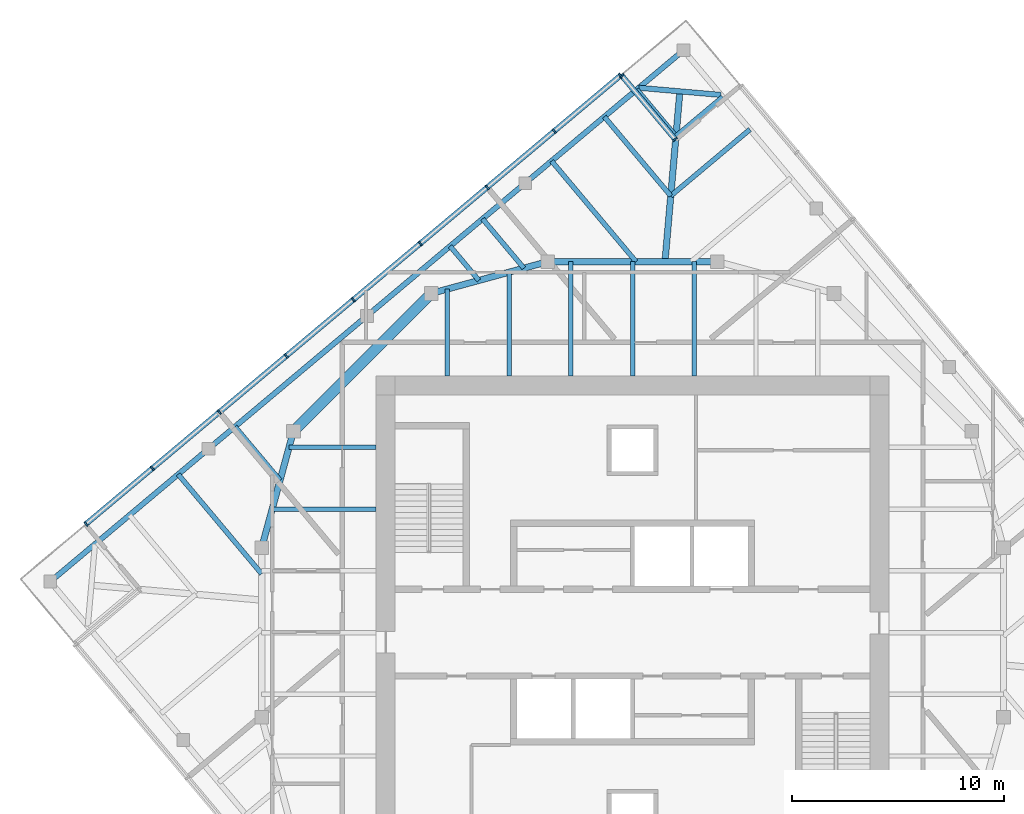
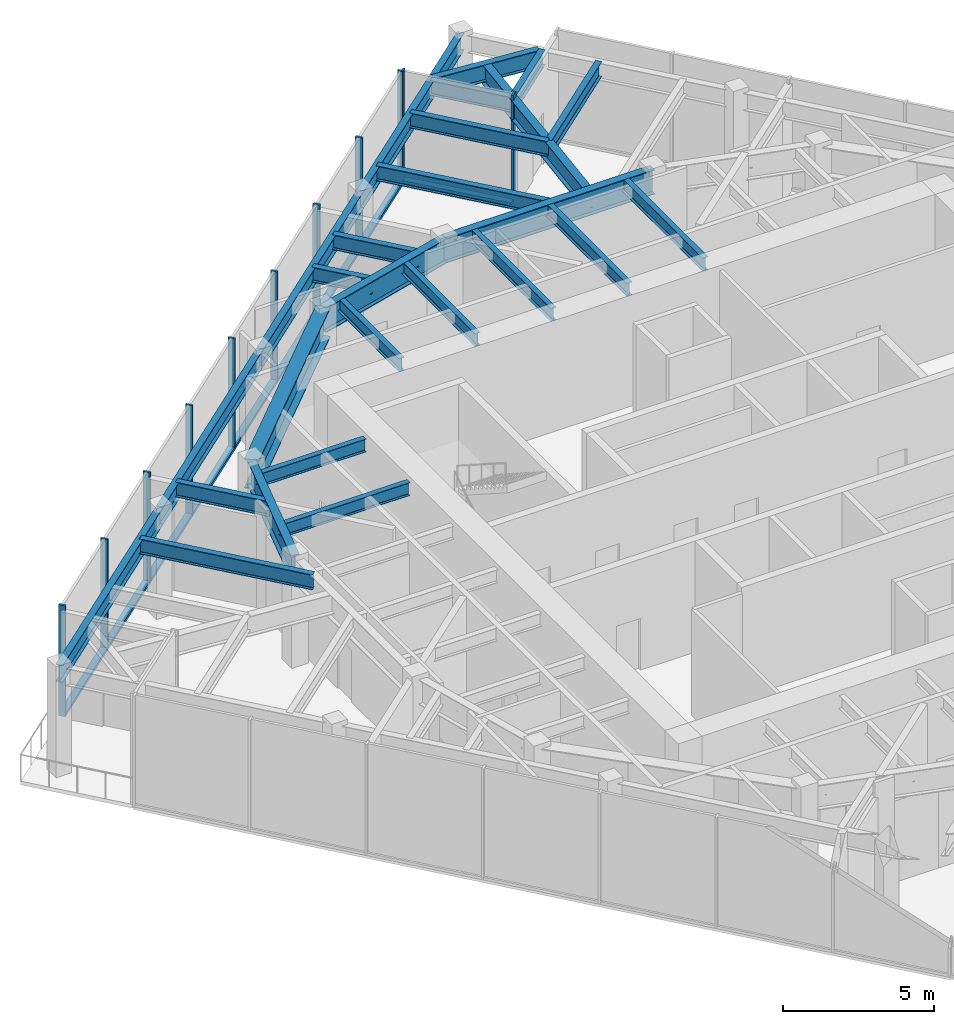
# One storey, part 5 of 11: 26 beams, 20 members, 2 elements without a shape of their own.
"""IFC4 building model written with IfcOpenShell, lengths in metres."""

from ifc_helpers import new_model, si_unit, direction, frame, origin, origin_2d, place, context, subcontext, project, spatial, rectangle, i_section, extrude, material, material_profile, profile_set, type_object, element, aggregate, save


model = new_model("IFC4")

# Units and contexts
model_context = context("Model", 3, precision=1e-05, world=origin(), true_north=direction((0.0, 1.0)))
body_context = subcontext(model_context, "Body", "Model", "MODEL_VIEW")
ifc_project = project(units=[si_unit("LENGTHUNIT", "METRE"), si_unit("AREAUNIT", "SQUARE_METRE"), si_unit("VOLUMEUNIT", "CUBIC_METRE"), si_unit("PLANEANGLEUNIT", "RADIAN"), si_unit("MASSUNIT", "GRAM", prefix="KILO")], contexts=[model_context])

# Site, building, storey
site_placement = place(None, origin())
site = spatial("IfcSite", under=ifc_project, at=site_placement, CompositionType="ELEMENT")
building_placement = place(site_placement, origin())
building = spatial("IfcBuilding", under=site, at=building_placement, Name="Torsade Residences", CompositionType="ELEMENT")
storey_placement = place(building_placement, frame((0.0, 0.0, 299.800048828125)))
storey = spatial("IfcBuildingStorey", under=building, at=storey_placement, Name="L83", CompositionType="ELEMENT", Elevation=299.800048828125)

# Beams
ifc_material_1 = material(Name="Steel grade 300", Category="steel")
ifc_material_profile_1 = material_profile(ifc_material_1, i_section(OverallWidth=0.300048828125, OverallDepth=0.800048828125, WebThickness=0.010009765625, FlangeThickness=0.02001953125, at=origin_2d()), Name="800WB146")
ifc_profile_set_1 = profile_set([ifc_material_profile_1], Name="Steel grade 300")
beam_type_1 = type_object("IfcBeamType", Name="CORNER GIRDER 800WB146", PredefinedType="BEAM", material=ifc_profile_set_1)
beam_1_placement = place(storey_placement, frame((42.234130859375, 55.53515625, 3.89990234375), z_axis=(-0.087172957961, -0.996193191806, 0.0), x_axis=(0.996193191806, -0.087172957961, 0.0)))
element("IfcBeam", 1, at=beam_1_placement, inside=storey, type_object=beam_type_1, Name="Corner girder 09 L84", PredefinedType="BEAM", context=body_context, shape_type="SweptSolid", body=[
    extrude(i_section(OverallWidth=0.300048828125, OverallDepth=0.800048828125, WebThickness=0.010009765625, FlangeThickness=0.02001953125, at=origin_2d()), origin(), (0.0, 0.0, 1.0), 8.06591796875),
])
ifc_material_2 = material(Name="Steel grade 300", Category="steel")
ifc_material_profile_2 = material_profile(ifc_material_2, i_section(OverallWidth=0.25, OverallDepth=0.699951171875, WebThickness=0.010009765625, FlangeThickness=0.02001953125, at=origin_2d()), Name="700WB130")
ifc_profile_set_2 = profile_set([ifc_material_profile_2], Name="Steel grade 300")
beam_type_2 = type_object("IfcBeamType", Name="CORNER TRIMMER 700WB130", PredefinedType="BEAM", material=ifc_profile_set_2)
beam_2_placement = place(storey_placement, frame((40.296875, 55.70458984375, 3.949951171875), z_axis=(0.996196646947, -0.087133464362, 0.0), x_axis=(0.087133464362, 0.996196646947, 0.0)))
element("IfcBeam", 2, at=beam_2_placement, inside=storey, type_object=beam_type_2, Name="Corner trimmer 09 L84", PredefinedType="BEAM", context=body_context, shape_type="SweptSolid", body=[
    extrude(i_section(OverallWidth=0.25, OverallDepth=0.699951171875, WebThickness=0.010009765625, FlangeThickness=0.02001953125, at=origin_2d()), origin(), (0.0, 0.0, 1.0), 3.88916015625),
])
ifc_material_3 = material(Name="Steel grade 300", Category="steel")
ifc_material_profile_3 = material_profile(ifc_material_3, i_section(OverallWidth=0.25, OverallDepth=0.699951171875, WebThickness=0.010009765625, FlangeThickness=0.02001953125, at=origin_2d()), Name="700WB130")
ifc_profile_set_3 = profile_set([ifc_material_profile_3], Name="Steel grade 300")
beam_type_3 = type_object("IfcBeamType", Name="EDGE BEAM 700WB130", PredefinedType="SPANDREL", material=ifc_profile_set_3)
for number, where, z_axis, x_axis, name in (
    (3, (42.403564453125, 57.47216796875, 3.949951171875), (-0.766051532934, -0.642779160279, 0.0), (0.642779160279, -0.766051532934, 0.0), "Edge beam 09 L84"),
    (4, (34.9345703125, 51.205078125, 3.949951171875), (-0.766051532934, -0.642779160279, 0.0), (0.642779160279, -0.766051532934, 0.0), "Edge beam 10 L84"),
    (5, (27.465576171875, 44.93798828125, 3.949951171875), (-0.766028856906, -0.642806184154, 0.0), (0.642806184154, -0.766028856906, 0.0), "Edge beam 11 L84"),
    (6, (19.996826171875, 38.670654296875, 3.949951171875), (-0.766051532934, -0.642779160279, 0.0), (0.642779160279, -0.766051532934, 0.0), "Edge beam 12 L84"),
):
    element("IfcBeam", number, at=place(storey_placement, frame(where, z_axis=z_axis, x_axis=x_axis)), inside=storey, type_object=beam_type_3, Name=name, PredefinedType="SPANDREL", context=body_context, shape_type="SweptSolid", body=[
        extrude(i_section(OverallWidth=0.25, OverallDepth=0.699951171875, WebThickness=0.010009765625, FlangeThickness=0.02001953125, at=origin_2d()), origin(), (0.0, 0.0, 1.0), 9.75),
    ])
ifc_material_4 = material(Name="Steel grade 300", Category="steel")
ifc_material_profile_4 = material_profile(ifc_material_4, i_section(OverallWidth=0.208984375, OverallDepth=0.528076171875, WebThickness=0.009521484375, FlangeThickness=0.01318359375, FilletRadius=0.013916015625, at=origin_2d()), Name="530UB82.0")
ifc_profile_set_4 = profile_set([ifc_material_profile_4], Name="Steel grade 300")
beam_type_4 = type_object("IfcBeamType", Name="INNER FLOOR BEAM 530UB82.0", PredefinedType="JOIST", material=ifc_profile_set_4)
beam_3_placement = place(storey_placement, frame((31.262451171875, 42.10009765625, 4.035888671875), z_axis=(0.0, 1.0, 0.0), x_axis=(-1.0, 0.0, 0.0)))
element("IfcBeam", 7, at=beam_3_placement, inside=storey, type_object=beam_type_4, Name="Inner floor beam IN01 L84", PredefinedType="JOIST", context=body_context, shape_type="SweptSolid", body=[
    extrude(i_section(OverallWidth=0.208984375, OverallDepth=0.528076171875, WebThickness=0.009521484375, FlangeThickness=0.01318359375, FilletRadius=0.013916015625, at=origin_2d()), origin(), (0.0, 0.0, 1.0), 4.10791015625),
])
beam_4_placement = place(storey_placement, frame((34.175048828125, 42.10009765625, 4.035888671875), z_axis=(0.0, 1.0, 0.0), x_axis=(-1.0, 0.0, 0.0)))
element("IfcBeam", 8, at=beam_4_placement, inside=storey, type_object=beam_type_4, Name="Inner floor beam IN02 L84", PredefinedType="JOIST", context=body_context, shape_type="SweptSolid", body=[
    extrude(i_section(OverallWidth=0.208984375, OverallDepth=0.528076171875, WebThickness=0.009521484375, FlangeThickness=0.01318359375, FilletRadius=0.013916015625, at=origin_2d()), origin(), (0.0, 0.0, 1.0), 4.902099609375),
])
for number, where, z_axis, x_axis, name in (
    (9, (37.08740234375, 42.10009765625, 4.035888671875), (0.0, 1.0, 0.0), (-1.0, 0.0, 0.0), "Inner floor beam IN03 L84"),
    (10, (40.0, 42.10009765625, 4.035888671875), (0.0, 1.0, 0.0), (-1.0, 0.0, 0.0), "Inner floor beam IN04 L84"),
    (11, (42.91259765625, 42.10009765625, 4.035888671875), (0.0, 1.0, 0.0), (-1.0, 0.0, 0.0), "Inner floor beam IN05 L84"),
):
    element("IfcBeam", number, at=place(storey_placement, frame(where, z_axis=z_axis, x_axis=x_axis)), inside=storey, type_object=beam_type_4, Name=name, PredefinedType="JOIST", context=body_context, shape_type="SweptSolid", body=[
        extrude(i_section(OverallWidth=0.208984375, OverallDepth=0.528076171875, WebThickness=0.009521484375, FlangeThickness=0.01318359375, FilletRadius=0.013916015625, at=origin_2d()), origin(), (0.0, 0.0, 1.0), 5.39990234375),
    ])
beam_5_placement = place(storey_placement, frame((27.89990234375, 38.737548828125, 4.035888671875), z_axis=(-1.0, 0.0, 0.0), x_axis=(0.0, -1.0, 0.0)))
element("IfcBeam", 12, at=beam_5_placement, inside=storey, type_object=beam_type_4, Name="Inner floor beam IW01 L84", PredefinedType="JOIST", context=body_context, shape_type="SweptSolid", body=[
    extrude(i_section(OverallWidth=0.208984375, OverallDepth=0.528076171875, WebThickness=0.009521484375, FlangeThickness=0.01318359375, FilletRadius=0.013916015625, at=origin_2d()), origin(), (0.0, 0.0, 1.0), 4.10791015625),
])
beam_6_placement = place(storey_placement, frame((27.89990234375, 35.824951171875, 4.035888671875), z_axis=(-1.0, 0.0, 0.0), x_axis=(0.0, -1.0, 0.0)))
element("IfcBeam", 13, at=beam_6_placement, inside=storey, type_object=beam_type_4, Name="Inner floor beam IW02 L84", PredefinedType="JOIST", context=body_context, shape_type="SweptSolid", body=[
    extrude(i_section(OverallWidth=0.208984375, OverallDepth=0.528076171875, WebThickness=0.009521484375, FlangeThickness=0.01318359375, FilletRadius=0.013916015625, at=origin_2d()), origin(), (0.0, 0.0, 1.0), 4.902099609375),
])

# Curtain wall, members
ifc_material_5 = material(Name="Aluminium and glass", Category="aluminium")
curtain_wall_type = type_object("IfcCurtainWallType", Name="PLANT LEVEL LOUVRED CURTAIN WALL", PredefinedType="NOTDEFINED", material=ifc_material_5)
curtain_wall_1_placement = place(storey_placement, origin())
curtain_wall_1 = element("IfcCurtainWall", 14, at=curtain_wall_1_placement, inside=storey, type_object=curtain_wall_type, Name="Curtain wall L83 face 6", PredefinedType="NOTDEFINED")
ifc_material_6 = material(Name="Aluminium mullion", Category="aluminium")
ifc_material_profile_5 = material_profile(ifc_material_6, rectangle(XDim=0.25, YDim=0.080078125, at=origin_2d()), Name="LOUVRE WALL MULLION 250x80")
ifc_profile_set_5 = profile_set([ifc_material_profile_5], Name="Aluminium mullion")
member_type_1 = type_object("IfcMemberType", Name="LOUVRE WALL MULLION 250x80", PredefinedType="MULLION", material=ifc_profile_set_5)
member_1_placement = place(storey_placement, frame((42.008056640625, 53.2763671875, 0.0), z_axis=(0.0, 0.0, 1.0), x_axis=(-0.766044397526, -0.642787664022, 0.0)))
member_1 = element("IfcMember", 15, at=member_1_placement, type_object=member_type_1, Name="Mullion 1", PredefinedType="MULLION", context=body_context, shape_type="SweptSolid", body=[
    extrude(rectangle(XDim=0.25, YDim=0.080078125, at=origin_2d()), origin(), (0.0, 0.0, 1.0), 4.5),
])
member_2_placement = place(storey_placement, frame((39.48828125, 56.279296875, 0.0), z_axis=(0.0, 0.0, 1.0), x_axis=(-0.766044397526, -0.642787664022, 0.0)))
member_2 = element("IfcMember", 16, at=member_2_placement, type_object=member_type_1, Name="Mullion 2", PredefinedType="MULLION", context=body_context, shape_type="SweptSolid", body=[
    extrude(rectangle(XDim=0.25, YDim=0.080078125, at=origin_2d()), origin(), (0.0, 0.0, 1.0), 4.5),
])

curtain_wall_2_placement = place(storey_placement, origin())
curtain_wall_2 = element("IfcCurtainWall", 17, at=curtain_wall_2_placement, inside=storey, type_object=curtain_wall_type, Name="Curtain wall L83 face 7", PredefinedType="NOTDEFINED")
member_3_placement = place(storey_placement, frame((39.431884765625, 56.2841796875, 0.0), z_axis=(0.0, 0.0, 1.0), x_axis=(0.642787616853, -0.766044437106, 0.0)))
member_3 = element("IfcMember", 18, at=member_3_placement, type_object=member_type_1, Name="Mullion 1", PredefinedType="MULLION", context=body_context, shape_type="SweptSolid", body=[
    extrude(rectangle(XDim=0.25, YDim=0.080078125, at=origin_2d()), origin(), (0.0, 0.0, 1.0), 4.5),
])
member_4_placement = place(storey_placement, frame((36.302734375, 53.658447265625, 0.0), z_axis=(0.0, 0.0, 1.0), x_axis=(0.642787616853, -0.766044437106, 0.0)))
member_4 = element("IfcMember", 19, at=member_4_placement, type_object=member_type_1, Name="Mullion 2", PredefinedType="MULLION", context=body_context, shape_type="SweptSolid", body=[
    extrude(rectangle(XDim=0.25, YDim=0.080078125, at=origin_2d()), origin(), (0.0, 0.0, 1.0), 4.5),
])
member_5_placement = place(storey_placement, frame((33.142822265625, 51.0068359375, 0.0), z_axis=(0.0, 0.0, 1.0), x_axis=(0.642787616853, -0.766044437106, 0.0)))
member_5 = element("IfcMember", 20, at=member_5_placement, type_object=member_type_1, Name="Mullion 3", PredefinedType="MULLION", context=body_context, shape_type="SweptSolid", body=[
    extrude(rectangle(XDim=0.25, YDim=0.080078125, at=origin_2d()), origin(), (0.0, 0.0, 1.0), 4.5),
])
member_6_placement = place(storey_placement, frame((29.982666015625, 48.35546875, 0.0), z_axis=(0.0, 0.0, 1.0), x_axis=(0.642787616853, -0.766044437106, 0.0)))
member_6 = element("IfcMember", 21, at=member_6_placement, type_object=member_type_1, Name="Mullion 4", PredefinedType="MULLION", context=body_context, shape_type="SweptSolid", body=[
    extrude(rectangle(XDim=0.25, YDim=0.080078125, at=origin_2d()), origin(), (0.0, 0.0, 1.0), 4.5),
])
member_7_placement = place(storey_placement, frame((26.82275390625, 45.703857421875, 0.0), z_axis=(0.0, 0.0, 1.0), x_axis=(0.642787616853, -0.766044437106, 0.0)))
member_7 = element("IfcMember", 22, at=member_7_placement, type_object=member_type_1, Name="Mullion 5", PredefinedType="MULLION", context=body_context, shape_type="SweptSolid", body=[
    extrude(rectangle(XDim=0.25, YDim=0.080078125, at=origin_2d()), origin(), (0.0, 0.0, 1.0), 4.5),
])
member_8_placement = place(storey_placement, frame((23.662841796875, 43.052490234375, 0.0), z_axis=(0.0, 0.0, 1.0), x_axis=(0.642787616853, -0.766044437106, 0.0)))
member_8 = element("IfcMember", 23, at=member_8_placement, type_object=member_type_1, Name="Mullion 6", PredefinedType="MULLION", context=body_context, shape_type="SweptSolid", body=[
    extrude(rectangle(XDim=0.25, YDim=0.080078125, at=origin_2d()), origin(), (0.0, 0.0, 1.0), 4.5),
])
member_9_placement = place(storey_placement, frame((20.5029296875, 40.40087890625, 0.0), z_axis=(0.0, 0.0, 1.0), x_axis=(0.642787616853, -0.766044437106, 0.0)))
member_9 = element("IfcMember", 24, at=member_9_placement, type_object=member_type_1, Name="Mullion 7", PredefinedType="MULLION", context=body_context, shape_type="SweptSolid", body=[
    extrude(rectangle(XDim=0.25, YDim=0.080078125, at=origin_2d()), origin(), (0.0, 0.0, 1.0), 4.5),
])
member_10_placement = place(storey_placement, frame((17.343017578125, 37.74951171875, 0.0), z_axis=(0.0, 0.0, 1.0), x_axis=(0.642787616853, -0.766044437106, 0.0)))
member_10 = element("IfcMember", 25, at=member_10_placement, type_object=member_type_1, Name="Mullion 8", PredefinedType="MULLION", context=body_context, shape_type="SweptSolid", body=[
    extrude(rectangle(XDim=0.25, YDim=0.080078125, at=origin_2d()), origin(), (0.0, 0.0, 1.0), 4.5),
])
member_11_placement = place(storey_placement, frame((14.2138671875, 35.12353515625, 0.0), z_axis=(0.0, 0.0, 1.0), x_axis=(0.642787616853, -0.766044437106, 0.0)))
member_11 = element("IfcMember", 26, at=member_11_placement, type_object=member_type_1, Name="Mullion 9", PredefinedType="MULLION", context=body_context, shape_type="SweptSolid", body=[
    extrude(rectangle(XDim=0.25, YDim=0.080078125, at=origin_2d()), origin(), (0.0, 0.0, 1.0), 4.5),
])

# Member
ifc_material_7 = material(Name="Aluminium transom", Category="aluminium")
ifc_material_profile_6 = material_profile(ifc_material_7, rectangle(XDim=0.25, YDim=0.110107421875, at=origin_2d()), Name="LOUVRE WALL TRANSOM 250x110")
ifc_profile_set_6 = profile_set([ifc_material_profile_6], Name="Aluminium transom")
member_type_2 = type_object("IfcMemberType", Name="LOUVRE WALL TRANSOM 250x110", PredefinedType="USERDEFINED", material=ifc_profile_set_6)
member_12_placement = place(storey_placement, frame((41.982421875, 53.30712890625, 0.054931640625), z_axis=(-0.642844603577, 0.765996615953, 0.0), x_axis=(-0.765996615953, -0.642844603577, 0.0)))
member_12 = element("IfcMember", 27, at=member_12_placement, type_object=member_type_2, Name="Transom 1.1", ObjectType="TRANSOM", PredefinedType="USERDEFINED", context=body_context, shape_type="SweptSolid", body=[
    extrude(rectangle(XDim=0.25, YDim=0.110107421875, at=origin_2d()), origin(), (0.0, 0.0, 1.0), 3.840087890625),
])

aggregate(curtain_wall_1, [member_1, member_2, member_12])

member_13_placement = place(storey_placement, frame((39.4013671875, 56.258544921875, 0.054931640625), z_axis=(-0.766043394532, -0.642788859341, 0.0), x_axis=(0.642788859341, -0.766043394532, 0.0)))
member_13 = element("IfcMember", 28, at=member_13_placement, type_object=member_type_2, Name="Transom 1.1", ObjectType="TRANSOM", PredefinedType="USERDEFINED", context=body_context, shape_type="SweptSolid", body=[
    extrude(rectangle(XDim=0.25, YDim=0.110107421875, at=origin_2d()), origin(), (0.0, 0.0, 1.0), 4.005126953125),
])

member_14_placement = place(storey_placement, frame((36.27197265625, 53.6328125, 0.054931640625), z_axis=(-0.766040060023, -0.642792833221, 0.0), x_axis=(0.642792833221, -0.766040060023, 0.0)))
member_14 = element("IfcMember", 29, at=member_14_placement, type_object=member_type_2, Name="Transom 2.1", ObjectType="TRANSOM", PredefinedType="USERDEFINED", context=body_context, shape_type="SweptSolid", body=[
    extrude(rectangle(XDim=0.25, YDim=0.110107421875, at=origin_2d()), origin(), (0.0, 0.0, 1.0), 4.044921875),
])

member_15_placement = place(storey_placement, frame((33.112060546875, 50.981201171875, 0.054931640625), z_axis=(-0.766040060023, -0.642792833221, 0.0), x_axis=(0.642792833221, -0.766040060023, 0.0)))
member_15 = element("IfcMember", 30, at=member_15_placement, type_object=member_type_2, Name="Transom 3.1", ObjectType="TRANSOM", PredefinedType="USERDEFINED", context=body_context, shape_type="SweptSolid", body=[
    extrude(rectangle(XDim=0.25, YDim=0.110107421875, at=origin_2d()), origin(), (0.0, 0.0, 1.0), 4.044921875),
])

member_16_placement = place(storey_placement, frame((29.9521484375, 48.32958984375, 0.054931640625), z_axis=(-0.766069780023, -0.642757413132, 0.0), x_axis=(0.642757413132, -0.766069780023, 0.0)))
member_16 = element("IfcMember", 31, at=member_16_placement, type_object=member_type_2, Name="Transom 4.1", ObjectType="TRANSOM", PredefinedType="USERDEFINED", context=body_context, shape_type="SweptSolid", body=[
    extrude(rectangle(XDim=0.25, YDim=0.110107421875, at=origin_2d()), origin(), (0.0, 0.0, 1.0), 4.044921875),
])

member_17_placement = place(storey_placement, frame((26.792236328125, 45.67822265625, 0.054931640625), z_axis=(-0.766040060023, -0.642792833221, 0.0), x_axis=(0.642792833221, -0.766040060023, 0.0)))
member_17 = element("IfcMember", 32, at=member_17_placement, type_object=member_type_2, Name="Transom 5.1", ObjectType="TRANSOM", PredefinedType="USERDEFINED", context=body_context, shape_type="SweptSolid", body=[
    extrude(rectangle(XDim=0.25, YDim=0.110107421875, at=origin_2d()), origin(), (0.0, 0.0, 1.0), 4.044921875),
])

member_18_placement = place(storey_placement, frame((23.63232421875, 43.026611328125, 0.054931640625), z_axis=(-0.766040060023, -0.642792833221, 0.0), x_axis=(0.642792833221, -0.766040060023, 0.0)))
member_18 = element("IfcMember", 33, at=member_18_placement, type_object=member_type_2, Name="Transom 6.1", ObjectType="TRANSOM", PredefinedType="USERDEFINED", context=body_context, shape_type="SweptSolid", body=[
    extrude(rectangle(XDim=0.25, YDim=0.110107421875, at=origin_2d()), origin(), (0.0, 0.0, 1.0), 4.044921875),
])

member_19_placement = place(storey_placement, frame((20.472412109375, 40.375244140625, 0.054931640625), z_axis=(-0.766040060023, -0.642792833221, 0.0), x_axis=(0.642792833221, -0.766040060023, 0.0)))
member_19 = element("IfcMember", 34, at=member_19_placement, type_object=member_type_2, Name="Transom 7.1", ObjectType="TRANSOM", PredefinedType="USERDEFINED", context=body_context, shape_type="SweptSolid", body=[
    extrude(rectangle(XDim=0.25, YDim=0.110107421875, at=origin_2d()), origin(), (0.0, 0.0, 1.0), 4.044921875),
])

member_20_placement = place(storey_placement, frame((17.3125, 37.7236328125, 0.054931640625), z_axis=(-0.766073410227, -0.642753086451, 0.0), x_axis=(0.642753086451, -0.766073410227, 0.0)))
member_20 = element("IfcMember", 35, at=member_20_placement, type_object=member_type_2, Name="Transom 8.1", ObjectType="TRANSOM", PredefinedType="USERDEFINED", context=body_context, shape_type="SweptSolid", body=[
    extrude(rectangle(XDim=0.25, YDim=0.110107421875, at=origin_2d()), origin(), (0.0, 0.0, 1.0), 4.0048828125),
])

aggregate(curtain_wall_2, [member_3, member_4, member_5, member_6, member_7, member_8, member_9, member_10, member_11, member_13, member_14, member_15, member_16, member_17, member_18, member_19, member_20])

# Beams
ifc_material_8 = material(Name="Steel grade 300", Category="steel")
ifc_material_profile_7 = material_profile(ifc_material_8, i_section(OverallWidth=0.5, OverallDepth=1.199951171875, WebThickness=0.01611328125, FlangeThickness=0.0400390625, at=origin_2d()), Name="1200WB455")
ifc_profile_set_7 = profile_set([ifc_material_profile_7], Name="Steel grade 300")
beam_type_5 = type_object("IfcBeamType", Name="RING CORNER GIRDER 1200WB455", PredefinedType="BEAM", material=ifc_profile_set_7)
beam_7_placement = place(storey_placement, frame((30.5, 46.0, 3.699951171875), z_axis=(-0.707106781187, -0.707106781187, 0.0), x_axis=(0.707106781187, -0.707106781187, 0.0)))
element("IfcBeam", 36, at=beam_7_placement, inside=storey, type_object=beam_type_5, Name="Ring girder IR07 L84", PredefinedType="BEAM", context=body_context, shape_type="SweptSolid", body=[
    extrude(i_section(OverallWidth=0.5, OverallDepth=1.199951171875, WebThickness=0.01611328125, FlangeThickness=0.0400390625, at=origin_2d()), origin(), (0.0, 0.0, 1.0), 9.1923828125),
])
ifc_material_9 = material(Name="Steel grade 300", Category="steel")
ifc_material_profile_8 = material_profile(ifc_material_9, i_section(OverallWidth=0.300048828125, OverallDepth=1.0, WebThickness=0.01611328125, FlangeThickness=0.028076171875, at=origin_2d()), Name="1000WB215")
ifc_profile_set_8 = profile_set([ifc_material_profile_8], Name="Steel grade 300")
beam_type_6 = type_object("IfcBeamType", Name="RING GIRDER 1000WB215", PredefinedType="BEAM", material=ifc_profile_set_8)
beam_8_placement = place(storey_placement, frame((44.0, 47.5, 3.800048828125), z_axis=(-1.0, 0.0, 0.0), x_axis=(0.0, -1.0, 0.0)))
element("IfcBeam", 37, at=beam_8_placement, inside=storey, type_object=beam_type_6, Name="Ring girder IR05 L84", PredefinedType="BEAM", context=body_context, shape_type="SweptSolid", body=[
    extrude(i_section(OverallWidth=0.300048828125, OverallDepth=1.0, WebThickness=0.01611328125, FlangeThickness=0.028076171875, at=origin_2d()), origin(), (0.0, 0.0, 1.0), 8.0),
])
for number, where, z_axis, x_axis, name in (
    (38, (36.0, 47.5, 3.800048828125), (-0.964763821238, -0.263117405792, 0.0), (0.263117405792, -0.964763821238, 0.0), "Ring girder IR06 L84"),
    (39, (24.0, 39.5, 3.800048828125), (-0.263117405792, -0.964763821238, 0.0), (0.964763821238, -0.263117405792, 0.0), "Ring girder IR08 L84"),
):
    element("IfcBeam", number, at=place(storey_placement, frame(where, z_axis=z_axis, x_axis=x_axis)), inside=storey, type_object=beam_type_6, Name=name, PredefinedType="BEAM", context=body_context, shape_type="SweptSolid", body=[
        extrude(i_section(OverallWidth=0.300048828125, OverallDepth=1.0, WebThickness=0.01611328125, FlangeThickness=0.028076171875, at=origin_2d()), origin(), (0.0, 0.0, 1.0), 5.700927734375),
    ])
ifc_material_10 = material(Name="Steel grade 300", Category="steel")
ifc_material_profile_9 = material_profile(ifc_material_10, i_section(OverallWidth=0.22900390625, OverallDepth=0.612060546875, WebThickness=0.011962890625, FlangeThickness=0.01953125, FilletRadius=0.013916015625, at=origin_2d()), Name="610UB125")
ifc_profile_set_9 = profile_set([ifc_material_profile_9], Name="Steel grade 300")
beam_type_7 = type_object("IfcBeamType", Name="SECONDARY BEAM 610UB125", PredefinedType="JOIST", material=ifc_profile_set_9)
beam_9_placement = place(storey_placement, frame((45.537109375, 53.73779296875, 3.993896484375), z_axis=(-0.766041186946, -0.642791490223, 0.0), x_axis=(0.642791490223, -0.766041186946, 0.0)))
element("IfcBeam", 40, at=beam_9_placement, inside=storey, type_object=beam_type_7, Name="Floor beam FE11 L84", PredefinedType="JOIST", context=body_context, shape_type="SweptSolid", body=[
    extrude(i_section(OverallWidth=0.22900390625, OverallDepth=0.612060546875, WebThickness=0.011962890625, FlangeThickness=0.01953125, FilletRadius=0.013916015625, at=origin_2d()), origin(), (0.0, 0.0, 1.0), 4.875),
])
for number, where, z_axis, x_axis, name in (
    (41, (44.25146484375, 55.269775390625, 3.993896484375), (-0.766066093402, -0.642761807001, 0.0), (0.642761807001, -0.766066093402, 0.0), "Floor beam FE12 L84"),
    (42, (40.201171875, 55.624267578125, 3.993896484375), (0.642761807001, -0.766066093402, 0.0), (0.766066093402, 0.642761807001, 0.0), "Floor beam FN01 L84"),
):
    element("IfcBeam", number, at=place(storey_placement, frame(where, z_axis=z_axis, x_axis=x_axis)), inside=storey, type_object=beam_type_7, Name=name, PredefinedType="JOIST", context=body_context, shape_type="SweptSolid", body=[
        extrude(i_section(OverallWidth=0.22900390625, OverallDepth=0.612060546875, WebThickness=0.011962890625, FlangeThickness=0.01953125, FilletRadius=0.013916015625, at=origin_2d()), origin(), (0.0, 0.0, 1.0), 2.875),
    ])
beam_10_placement = place(storey_placement, frame((38.6689453125, 54.338623046875, 3.993896484375), z_axis=(0.642820877376, -0.766016526982, 0.0), x_axis=(0.766016526982, 0.642820877376, 0.0)))
element("IfcBeam", 43, at=beam_10_placement, inside=storey, type_object=beam_type_7, Name="Floor beam FN02 L84", PredefinedType="JOIST", context=body_context, shape_type="SweptSolid", body=[
    extrude(i_section(OverallWidth=0.22900390625, OverallDepth=0.612060546875, WebThickness=0.011962890625, FlangeThickness=0.01953125, FilletRadius=0.013916015625, at=origin_2d()), origin(), (0.0, 0.0, 1.0), 4.875),
])
beam_11_placement = place(storey_placement, frame((36.179443359375, 52.24951171875, 3.993896484375), z_axis=(0.642791209238, -0.766041422722, 0.0), x_axis=(0.766041422722, 0.642791209238, 0.0)))
element("IfcBeam", 44, at=beam_11_placement, inside=storey, type_object=beam_type_7, Name="Floor beam FN03 L84", PredefinedType="JOIST", context=body_context, shape_type="SweptSolid", body=[
    extrude(i_section(OverallWidth=0.22900390625, OverallDepth=0.612060546875, WebThickness=0.011962890625, FlangeThickness=0.01953125, FilletRadius=0.013916015625, at=origin_2d()), origin(), (0.0, 0.0, 1.0), 6.199951171875),
])
beam_12_placement = place(storey_placement, frame((32.923828125, 49.517822265625, 3.993896484375), z_axis=(0.64274480196, -0.766080361029, 0.0), x_axis=(0.766080361029, 0.64274480196, 0.0)))
element("IfcBeam", 45, at=beam_12_placement, inside=storey, type_object=beam_type_7, Name="Floor beam FN04 L84", PredefinedType="JOIST", context=body_context, shape_type="SweptSolid", body=[
    extrude(i_section(OverallWidth=0.22900390625, OverallDepth=0.612060546875, WebThickness=0.011962890625, FlangeThickness=0.01953125, FilletRadius=0.013916015625, at=origin_2d()), origin(), (0.0, 0.0, 1.0), 3.03466796875),
])
beam_13_placement = place(storey_placement, frame((31.3916015625, 48.232177734375, 3.993896484375), z_axis=(0.642771977004, -0.766057560226, 0.0), x_axis=(0.766057560226, 0.642771977004, 0.0)))
element("IfcBeam", 46, at=beam_13_placement, inside=storey, type_object=beam_type_7, Name="Floor beam FN05 L84", PredefinedType="JOIST", context=body_context, shape_type="SweptSolid", body=[
    extrude(i_section(OverallWidth=0.22900390625, OverallDepth=0.612060546875, WebThickness=0.011962890625, FlangeThickness=0.01953125, FilletRadius=0.013916015625, at=origin_2d()), origin(), (0.0, 0.0, 1.0), 2.113037109375),
])
beam_14_placement = place(storey_placement, frame((21.241455078125, 39.71533203125, 3.993896484375), z_axis=(0.642786956891, -0.766044990879, 0.0), x_axis=(0.766044990879, 0.642786956891, 0.0)))
element("IfcBeam", 47, at=beam_14_placement, inside=storey, type_object=beam_type_7, Name="Floor beam FN09 L84", PredefinedType="JOIST", context=body_context, shape_type="SweptSolid", body=[
    extrude(i_section(OverallWidth=0.22900390625, OverallDepth=0.612060546875, WebThickness=0.011962890625, FlangeThickness=0.01953125, FilletRadius=0.013916015625, at=origin_2d()), origin(), (0.0, 0.0, 1.0), 3.307861328125),
])
beam_15_placement = place(storey_placement, frame((18.560302734375, 37.465576171875, 3.993896484375), z_axis=(0.642794037701, -0.766039049329, 0.0), x_axis=(0.766039049329, 0.642794037701, 0.0)))
element("IfcBeam", 48, at=beam_15_placement, inside=storey, type_object=beam_type_7, Name="Floor beam FN10 L84", PredefinedType="JOIST", context=body_context, shape_type="SweptSolid", body=[
    extrude(i_section(OverallWidth=0.22900390625, OverallDepth=0.612060546875, WebThickness=0.011962890625, FlangeThickness=0.01953125, FilletRadius=0.013916015625, at=origin_2d()), origin(), (0.0, 0.0, 1.0), 6.12890625),
])

save(model, "model.ifc")
